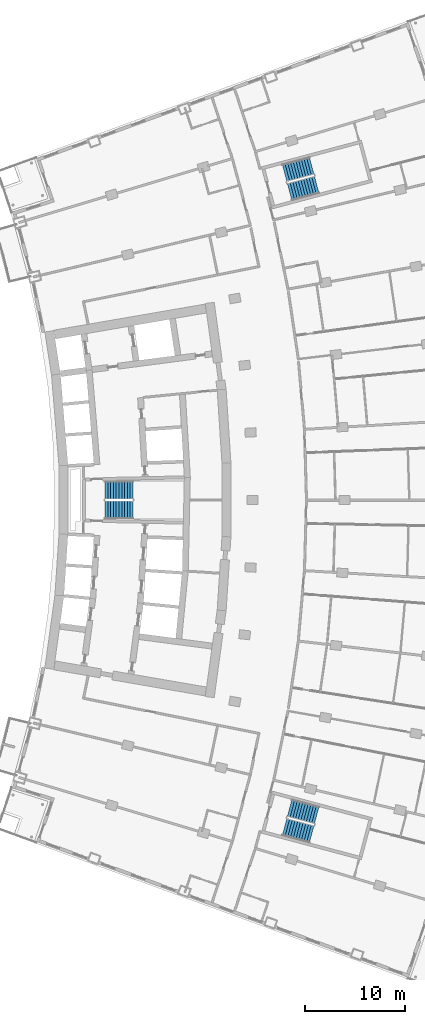
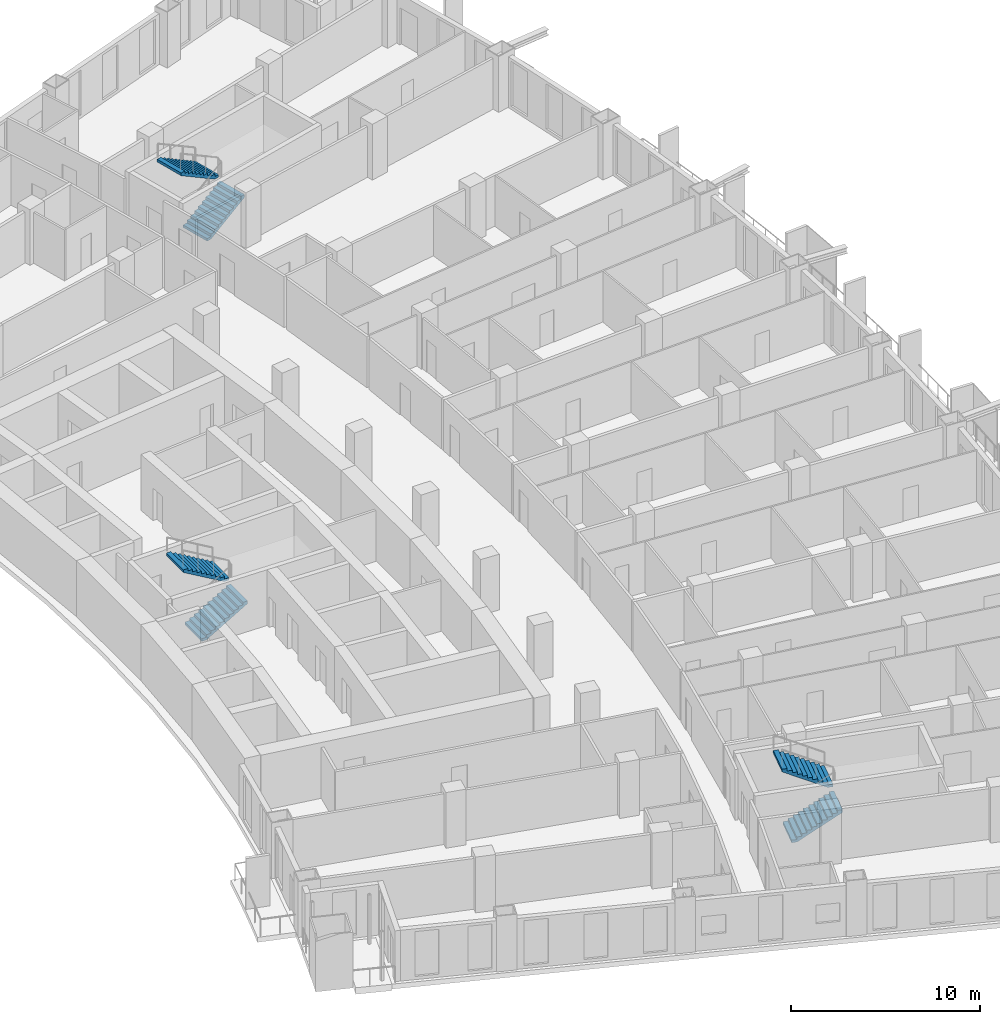
# One storey, part 22 of 25: 6 stair flights, 3 elements without a shape of their own.
"""IFC4 building model written with IfcOpenShell, lengths in metres."""

from ifc_helpers import new_model, si_unit, direction, frame, origin, place, context, subcontext, project, spatial, polyline, outline, extrude, material, layer, layer_set, type_object, element, aggregate, save


model = new_model("IFC4")

# Units and contexts
model_context = context("Model", 3, precision=1e-05, world=origin(), true_north=direction((0.0, 1.0)))
body_context = subcontext(model_context, "Body", "Model", "MODEL_VIEW")
ifc_project = project(units=[si_unit("LENGTHUNIT", "METRE"), si_unit("AREAUNIT", "SQUARE_METRE"), si_unit("VOLUMEUNIT", "CUBIC_METRE"), si_unit("PLANEANGLEUNIT", "RADIAN"), si_unit("MASSUNIT", "GRAM", prefix="KILO")], contexts=[model_context])

# Site, building, storey
site_placement = place(None, origin())
site = spatial("IfcSite", under=ifc_project, at=site_placement, CompositionType="ELEMENT")
building_placement = place(site_placement, origin())
building = spatial("IfcBuilding", under=site, at=building_placement, Name="Alderwake Tower", CompositionType="ELEMENT")
storey_placement = place(building_placement, frame((0.0, 0.0, 35.60009765625)))
storey = spatial("IfcBuildingStorey", under=building, at=storey_placement, Name="L07", CompositionType="ELEMENT", Elevation=35.60009765625)

# Stair, stair flights
ifc_material_1 = material(Name="Concrete C40/50", Category="concrete")
stair_type = type_object("IfcStairType", Name="Core exit stair", PredefinedType="HALF_TURN_STAIR", material=ifc_material_1)
stair_1_placement = place(storey_placement, origin())
stair_1 = element("IfcStair", 1, at=stair_1_placement, inside=storey, type_object=stair_type, Name="L07 Exit Stair B", PredefinedType="HALF_TURN_STAIR")
ifc_material_2 = material(Name="Concrete C40/50", Category="concrete")
ifc_layer = layer(ifc_material_2, 0.14990234375)
ifc_layer_set = layer_set([ifc_layer], Name="Core stair flight")
stair_flight_type = type_object("IfcStairFlightType", Name="Core stair flight", PredefinedType="STRAIGHT", material=ifc_layer_set)
stair_flight_1_placement = place(storey_placement, frame((21.0400390625, 60.02490234375, 0.0), z_axis=(0.0, 0.0, 1.0), x_axis=(1.0, 0.0, 0.0)))
stair_flight_1 = element("IfcStairFlight", 2, at=stair_flight_1_placement, type_object=stair_flight_type, Name="ST-B flight 1", NumberOfRisers=11, NumberOfTreads=10, PredefinedType="STRAIGHT", RiserHeight=0.163636364, TreadLength=0.28, context=body_context, shape_type="SweptSolid", body=[
    extrude(outline(polyline([(0.0, 0.0), (0.0, 0.16357421875), (0.280029296875, 0.16357421875), (0.280029296875, 0.327392578125), (0.56005859375, 0.327392578125), (0.56005859375, 0.490966796875), (0.840087890625, 0.490966796875), (0.840087890625, 0.654541015625), (1.1201171875, 0.654541015625), (1.1201171875, 0.818115234375), (1.39990234375, 0.818115234375), (1.39990234375, 0.98193359375), (1.679931640625, 0.98193359375), (1.679931640625, 1.1455078125), (1.9599609375, 1.1455078125), (1.9599609375, 1.30908203125), (2.239990234375, 1.30908203125), (2.239990234375, 1.47265625), (2.52001953125, 1.47265625), (2.52001953125, 1.636474609375), (2.800048828125, 1.636474609375), (2.800048828125, 1.800048828125), (2.800048828125, 1.462646484375), (0.297119140625, 0.0), (0.0, 0.0)])), frame((0.0, 0.89990234375, 0.0), z_axis=(0.0, -1.0, 0.0), x_axis=(1.0, 0.0, 0.0)), (0.0, 0.0, 1.0), 1.800048828125),
])
stair_flight_2_placement = place(storey_placement, frame((23.840087890625, 61.97509765625, 1.7998046875), z_axis=(0.0, 0.0, 1.0), x_axis=(-1.0, 0.0, 0.0)))
stair_flight_2 = element("IfcStairFlight", 3, at=stair_flight_2_placement, type_object=stair_flight_type, Name="ST-B flight 2", NumberOfRisers=11, NumberOfTreads=10, PredefinedType="STRAIGHT", RiserHeight=0.163636364, TreadLength=0.28, context=body_context, shape_type="SweptSolid", body=[
    extrude(outline(polyline([(0.0, 0.0), (0.0, 0.16357421875), (0.280029296875, 0.16357421875), (0.280029296875, 0.327392578125), (0.56005859375, 0.327392578125), (0.56005859375, 0.490966796875), (0.840087890625, 0.490966796875), (0.840087890625, 0.654541015625), (1.1201171875, 0.654541015625), (1.1201171875, 0.818115234375), (1.39990234375, 0.818115234375), (1.39990234375, 0.98193359375), (1.679931640625, 0.98193359375), (1.679931640625, 1.1455078125), (1.9599609375, 1.1455078125), (1.9599609375, 1.30908203125), (2.239990234375, 1.30908203125), (2.239990234375, 1.47265625), (2.52001953125, 1.47265625), (2.52001953125, 1.636474609375), (2.800048828125, 1.636474609375), (2.800048828125, 1.800048828125), (2.800048828125, 1.462646484375), (0.297119140625, 0.0), (0.0, 0.0)])), frame((0.0, 0.89990234375, 0.0), z_axis=(0.0, -1.0, 0.0), x_axis=(1.0, 0.0, 0.0)), (0.0, 0.0, 1.0), 1.800048828125),
])
aggregate(stair_1, [stair_flight_1, stair_flight_2])

stair_2_placement = place(storey_placement, origin())
stair_2 = element("IfcStair", 4, at=stair_2_placement, inside=storey, type_object=stair_type, Name="L07 Exit Stair A", PredefinedType="HALF_TURN_STAIR")
stair_flight_3_placement = place(storey_placement, frame((39.512939453125, 91.823974609375, 0.0), z_axis=(0.0, 0.0, 1.0), x_axis=(0.966309627437, 0.257382407951, 0.0)))
stair_flight_3 = element("IfcStairFlight", 5, at=stair_flight_3_placement, type_object=stair_flight_type, Name="ST-A flight 1", NumberOfRisers=11, NumberOfTreads=10, PredefinedType="STRAIGHT", RiserHeight=0.163636364, TreadLength=0.28, context=body_context, shape_type="SweptSolid", body=[
    extrude(outline(polyline([(0.0, 0.0), (0.0, 0.16357421875), (0.280029296875, 0.16357421875), (0.280029296875, 0.327392578125), (0.56005859375, 0.327392578125), (0.56005859375, 0.490966796875), (0.840087890625, 0.490966796875), (0.840087890625, 0.654541015625), (1.1201171875, 0.654541015625), (1.1201171875, 0.818115234375), (1.39990234375, 0.818115234375), (1.39990234375, 0.98193359375), (1.679931640625, 0.98193359375), (1.679931640625, 1.1455078125), (1.9599609375, 1.1455078125), (1.9599609375, 1.30908203125), (2.239990234375, 1.30908203125), (2.239990234375, 1.47265625), (2.52001953125, 1.47265625), (2.52001953125, 1.636474609375), (2.800048828125, 1.636474609375), (2.800048828125, 1.800048828125), (2.800048828125, 1.462646484375), (0.297119140625, 0.0), (0.0, 0.0)])), frame((0.0, 0.89990234375, 0.0), z_axis=(0.0, -1.0, 0.0), x_axis=(1.0, 0.0, 0.0)), (0.0, 0.0, 1.0), 1.800048828125),
])
stair_flight_4_placement = place(storey_placement, frame((41.716796875, 94.428955078125, 1.7998046875), z_axis=(0.0, 0.0, 1.0), x_axis=(-0.966309627437, -0.257382407951, 0.0)))
stair_flight_4 = element("IfcStairFlight", 6, at=stair_flight_4_placement, type_object=stair_flight_type, Name="ST-A flight 2", NumberOfRisers=11, NumberOfTreads=10, PredefinedType="STRAIGHT", RiserHeight=0.163636364, TreadLength=0.28, context=body_context, shape_type="SweptSolid", body=[
    extrude(outline(polyline([(0.0, 0.0), (0.0, 0.16357421875), (0.280029296875, 0.16357421875), (0.280029296875, 0.327392578125), (0.56005859375, 0.327392578125), (0.56005859375, 0.490966796875), (0.840087890625, 0.490966796875), (0.840087890625, 0.654541015625), (1.1201171875, 0.654541015625), (1.1201171875, 0.818115234375), (1.39990234375, 0.818115234375), (1.39990234375, 0.98193359375), (1.679931640625, 0.98193359375), (1.679931640625, 1.1455078125), (1.9599609375, 1.1455078125), (1.9599609375, 1.30908203125), (2.239990234375, 1.30908203125), (2.239990234375, 1.47265625), (2.52001953125, 1.47265625), (2.52001953125, 1.636474609375), (2.800048828125, 1.636474609375), (2.800048828125, 1.800048828125), (2.800048828125, 1.462646484375), (0.297119140625, 0.0), (0.0, 0.0)])), frame((0.0, 0.89990234375, 0.0), z_axis=(0.0, -1.0, 0.0), x_axis=(1.0, 0.0, 0.0)), (0.0, 0.0, 1.0), 1.800048828125),
])
aggregate(stair_2, [stair_flight_3, stair_flight_4])

stair_3_placement = place(storey_placement, origin())
stair_3 = element("IfcStair", 7, at=stair_3_placement, inside=storey, type_object=stair_type, Name="L07 Exit Stair C", PredefinedType="HALF_TURN_STAIR")
stair_flight_5_placement = place(storey_placement, frame((39.010986328125, 28.291748046875, 0.0), z_axis=(0.0, 0.0, 1.0), x_axis=(0.966309627437, -0.257382407951, 0.0)))
stair_flight_5 = element("IfcStairFlight", 8, at=stair_flight_5_placement, type_object=stair_flight_type, Name="ST-C flight 1", NumberOfRisers=11, NumberOfTreads=10, PredefinedType="STRAIGHT", RiserHeight=0.163636364, TreadLength=0.28, context=body_context, shape_type="SweptSolid", body=[
    extrude(outline(polyline([(0.0, 0.0), (0.0, 0.16357421875), (0.280029296875, 0.16357421875), (0.280029296875, 0.327392578125), (0.56005859375, 0.327392578125), (0.56005859375, 0.490966796875), (0.840087890625, 0.490966796875), (0.840087890625, 0.654541015625), (1.1201171875, 0.654541015625), (1.1201171875, 0.818115234375), (1.39990234375, 0.818115234375), (1.39990234375, 0.98193359375), (1.679931640625, 0.98193359375), (1.679931640625, 1.1455078125), (1.9599609375, 1.1455078125), (1.9599609375, 1.30908203125), (2.239990234375, 1.30908203125), (2.239990234375, 1.47265625), (2.52001953125, 1.47265625), (2.52001953125, 1.636474609375), (2.800048828125, 1.636474609375), (2.800048828125, 1.800048828125), (2.800048828125, 1.462646484375), (0.297119140625, 0.0), (0.0, 0.0)])), frame((0.0, 0.89990234375, 0.0), z_axis=(0.0, -1.0, 0.0), x_axis=(1.0, 0.0, 0.0)), (0.0, 0.0, 1.0), 1.800048828125),
])
stair_flight_6_placement = place(storey_placement, frame((42.218505859375, 29.455322265625, 1.7998046875), z_axis=(0.0, 0.0, 1.0), x_axis=(-0.966309627437, 0.257382407951, 0.0)))
stair_flight_6 = element("IfcStairFlight", 9, at=stair_flight_6_placement, type_object=stair_flight_type, Name="ST-C flight 2", NumberOfRisers=11, NumberOfTreads=10, PredefinedType="STRAIGHT", RiserHeight=0.163636364, TreadLength=0.28, context=body_context, shape_type="SweptSolid", body=[
    extrude(outline(polyline([(0.0, 0.0), (0.0, 0.16357421875), (0.280029296875, 0.16357421875), (0.280029296875, 0.327392578125), (0.56005859375, 0.327392578125), (0.56005859375, 0.490966796875), (0.840087890625, 0.490966796875), (0.840087890625, 0.654541015625), (1.1201171875, 0.654541015625), (1.1201171875, 0.818115234375), (1.39990234375, 0.818115234375), (1.39990234375, 0.98193359375), (1.679931640625, 0.98193359375), (1.679931640625, 1.1455078125), (1.9599609375, 1.1455078125), (1.9599609375, 1.30908203125), (2.239990234375, 1.30908203125), (2.239990234375, 1.47265625), (2.52001953125, 1.47265625), (2.52001953125, 1.636474609375), (2.800048828125, 1.636474609375), (2.800048828125, 1.800048828125), (2.800048828125, 1.462646484375), (0.297119140625, 0.0), (0.0, 0.0)])), frame((0.0, 0.89990234375, 0.0), z_axis=(0.0, -1.0, 0.0), x_axis=(1.0, 0.0, 0.0)), (0.0, 0.0, 1.0), 1.800048828125),
])
aggregate(stair_3, [stair_flight_5, stair_flight_6])

save(model, "model.ifc")
